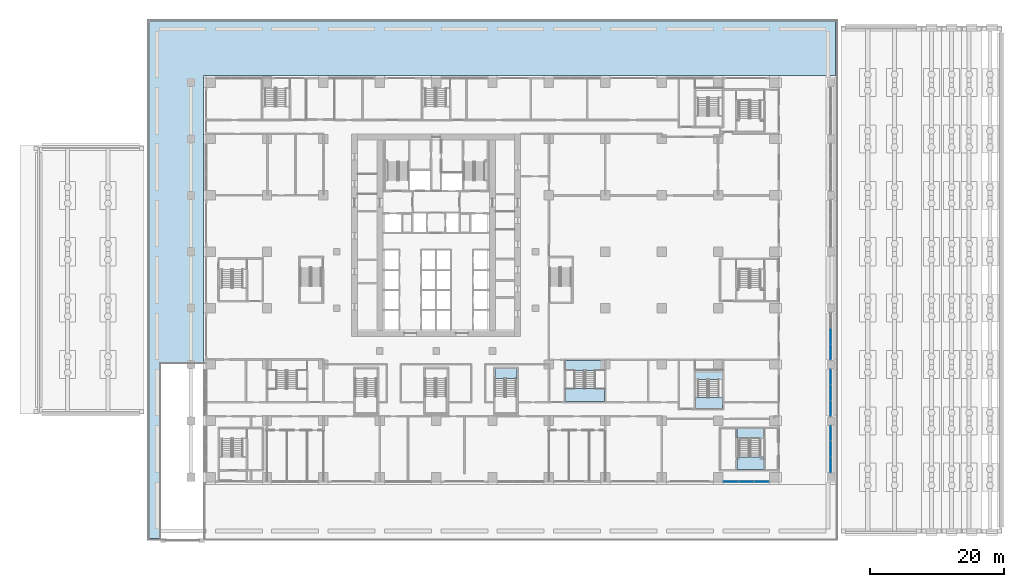
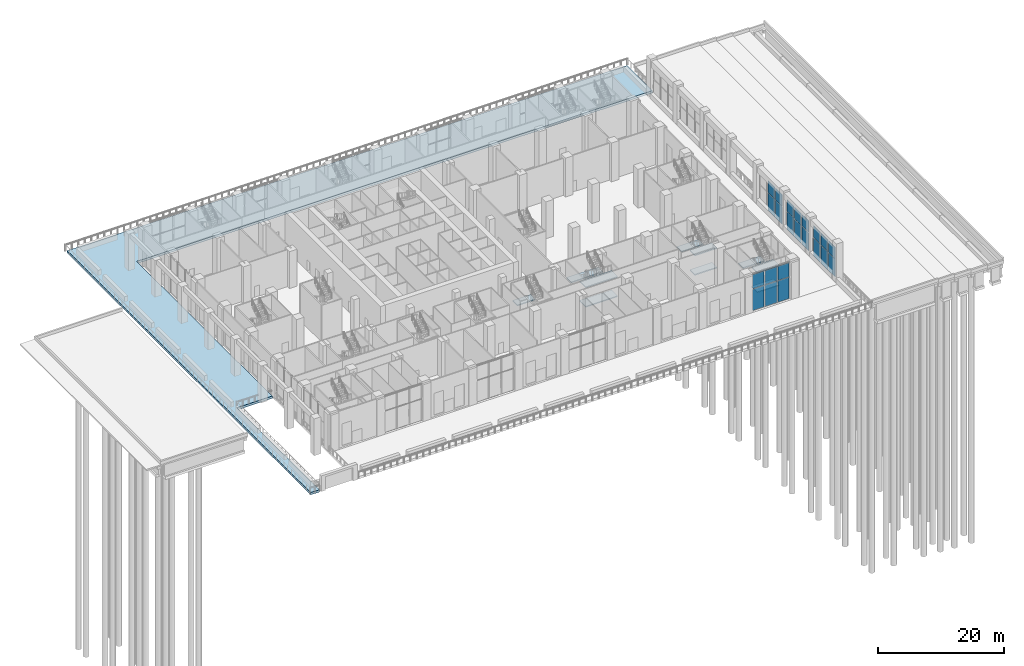
# One storey, part 16 of 53: 22 plates, 11 slabs, 8 elements without a shape of their own.
"""IFC4 building model written with IfcOpenShell, lengths in metres."""

from ifc_helpers import new_model, si_unit, direction, frame, origin, origin_2d, place, context, subcontext, project, spatial, polyline, rectangle, outline, extrude, material, layer, layer_set, type_object, element, aggregate, save


model = new_model("IFC4")

# Units and contexts
model_context = context("Model", 3, precision=1e-05, world=origin(), true_north=direction((0.0, 1.0)))
body_context = subcontext(model_context, "Body", "Model", "MODEL_VIEW")
ifc_project = project(units=[si_unit("LENGTHUNIT", "METRE"), si_unit("AREAUNIT", "SQUARE_METRE"), si_unit("VOLUMEUNIT", "CUBIC_METRE"), si_unit("PLANEANGLEUNIT", "RADIAN"), si_unit("MASSUNIT", "GRAM", prefix="KILO")], contexts=[model_context])

# Site, building, storey
site_placement = place(None, origin())
site = spatial("IfcSite", under=ifc_project, at=site_placement, CompositionType="ELEMENT")
building_placement = place(site_placement, origin())
building = spatial("IfcBuilding", under=site, at=building_placement, Name="Vermilion Ogive Tower", CompositionType="ELEMENT")
storey_placement = place(building_placement, origin())
storey = spatial("IfcBuildingStorey", under=building, at=storey_placement, Name="L00", CompositionType="ELEMENT", Elevation=0.0)

# Curtain wall, plates
ifc_material_1 = material(Name="Clear double glazing in aluminium frame", Category="aluminium")
curtain_wall_type_1 = type_object("IfcCurtainWallType", Name="Curtain wall CW1", PredefinedType="NOTDEFINED", material=ifc_material_1)
curtain_wall_1_placement = place(storey_placement, origin())
curtain_wall_1 = element("IfcCurtainWall", 1, at=curtain_wall_1_placement, inside=storey, type_object=curtain_wall_type_1, Name="CW1 shopfront glazing S10", PredefinedType="NOTDEFINED")
ifc_material_2 = material(Name="Clear double glazing in aluminium frame", Category="aluminium")
ifc_layer_1 = layer(ifc_material_2, 0.031982421875)
ifc_layer_set_1 = layer_set([ifc_layer_1], Name="CW1 glazing panel 32")
plate_type_1 = type_object("IfcPlateType", Name="CW1 glazing panel 32", PredefinedType="CURTAIN_PANEL", material=ifc_layer_set_1)
plate_1_placement = place(storey_placement, frame((43.91162109375, -30.06005859375, 0.06005859375), z_axis=(0.0, 0.0, 1.0), x_axis=(1.0, 0.0, 0.0)))
plate_1 = element("IfcPlate", 2, at=plate_1_placement, type_object=plate_type_1, Name="CW1-S10 panel 1.1", PredefinedType="CURTAIN_PANEL", context=body_context, shape_type="SweptSolid", body=[
    extrude(rectangle(XDim=2.063232421875, YDim=0.031982421875, at=origin_2d()), origin(), (0.0, 0.0, 1.0), 4.169921875),
])
plate_2_placement = place(storey_placement, frame((43.91162109375, -30.06005859375, 4.2900390625), z_axis=(0.0, 0.0, 1.0), x_axis=(1.0, 0.0, 0.0)))
plate_2 = element("IfcPlate", 3, at=plate_2_placement, type_object=plate_type_1, Name="CW1-S10 panel 1.2", PredefinedType="CURTAIN_PANEL", context=body_context, shape_type="SweptSolid", body=[
    extrude(rectangle(XDim=2.063232421875, YDim=0.031982421875, at=origin_2d()), origin(), (0.0, 0.0, 1.0), 2.75),
])
plate_3_placement = place(storey_placement, frame((46.199951171875, -30.06005859375, 0.06005859375), z_axis=(0.0, 0.0, 1.0), x_axis=(1.0, 0.0, 0.0)))
plate_3 = element("IfcPlate", 4, at=plate_3_placement, type_object=plate_type_1, Name="CW1-S10 panel 2.1", PredefinedType="CURTAIN_PANEL", context=body_context, shape_type="SweptSolid", body=[
    extrude(rectangle(XDim=2.1533203125, YDim=0.031982421875, at=origin_2d()), origin(), (0.0, 0.0, 1.0), 4.169921875),
])
plate_4_placement = place(storey_placement, frame((46.199951171875, -30.06005859375, 4.2900390625), z_axis=(0.0, 0.0, 1.0), x_axis=(1.0, 0.0, 0.0)))
plate_4 = element("IfcPlate", 5, at=plate_4_placement, type_object=plate_type_1, Name="CW1-S10 panel 2.2", PredefinedType="CURTAIN_PANEL", context=body_context, shape_type="SweptSolid", body=[
    extrude(rectangle(XDim=2.1533203125, YDim=0.031982421875, at=origin_2d()), origin(), (0.0, 0.0, 1.0), 2.75),
])
plate_5_placement = place(storey_placement, frame((48.48828125, -30.06005859375, 0.06005859375), z_axis=(0.0, 0.0, 1.0), x_axis=(1.0, 0.0, 0.0)))
plate_5 = element("IfcPlate", 6, at=plate_5_placement, type_object=plate_type_1, Name="CW1-S10 panel 3.1", PredefinedType="CURTAIN_PANEL", context=body_context, shape_type="SweptSolid", body=[
    extrude(rectangle(XDim=2.063232421875, YDim=0.031982421875, at=origin_2d()), origin(), (0.0, 0.0, 1.0), 4.169921875),
])
plate_6_placement = place(storey_placement, frame((48.48828125, -30.06005859375, 4.2900390625), z_axis=(0.0, 0.0, 1.0), x_axis=(1.0, 0.0, 0.0)))
plate_6 = element("IfcPlate", 7, at=plate_6_placement, type_object=plate_type_1, Name="CW1-S10 panel 3.2", PredefinedType="CURTAIN_PANEL", context=body_context, shape_type="SweptSolid", body=[
    extrude(rectangle(XDim=2.063232421875, YDim=0.031982421875, at=origin_2d()), origin(), (0.0, 0.0, 1.0), 2.75),
])
aggregate(curtain_wall_1, [plate_1, plate_2, plate_3, plate_4, plate_5, plate_6])

ifc_material_3 = material(Name="Clear double glazing in aluminium frame", Category="aluminium")
curtain_wall_type_2 = type_object("IfcCurtainWallType", Name="Curtain wall CW2", PredefinedType="NOTDEFINED", material=ifc_material_3)
curtain_wall_2_placement = place(storey_placement, origin())
curtain_wall_2 = element("IfcCurtainWall", 8, at=curtain_wall_2_placement, inside=storey, type_object=curtain_wall_type_2, Name="CW2 arcade glazing L00 1", PredefinedType="NOTDEFINED")
ifc_material_4 = material(Name="Clear double glazing in aluminium frame", Category="aluminium")
ifc_layer_2 = layer(ifc_material_4, 0.031982421875)
ifc_layer_set_2 = layer_set([ifc_layer_2], Name="CW2 glazing panel 32")
plate_type_2 = type_object("IfcPlateType", Name="CW2 glazing panel 32", PredefinedType="CURTAIN_PANEL", material=ifc_layer_set_2)
plate_7_placement = place(storey_placement, frame((58.800048828125, -27.554931640625, 0.06005859375), z_axis=(0.0, 0.0, 1.0), x_axis=(0.0, 1.0, 0.0)))
plate_7 = element("IfcPlate", 9, at=plate_7_placement, type_object=plate_type_2, Name="CW2-001 panel 1.1", PredefinedType="CURTAIN_PANEL", context=body_context, shape_type="SweptSolid", body=[
    extrude(rectangle(XDim=2.1298828125, YDim=0.031982421875, at=origin_2d()), origin(), (0.0, 0.0, 1.0), 3.449951171875),
])
plate_8_placement = place(storey_placement, frame((58.800048828125, -27.554931640625, 3.570068359375), z_axis=(0.0, 0.0, 1.0), x_axis=(0.0, 1.0, 0.0)))
plate_8 = element("IfcPlate", 10, at=plate_8_placement, type_object=plate_type_2, Name="CW2-001 panel 1.2", PredefinedType="CURTAIN_PANEL", context=body_context, shape_type="SweptSolid", body=[
    extrude(rectangle(XDim=2.1298828125, YDim=0.031982421875, at=origin_2d()), origin(), (0.0, 0.0, 1.0), 2.27001953125),
])
plate_9_placement = place(storey_placement, frame((58.800048828125, -25.199951171875, 0.06005859375), z_axis=(0.0, 0.0, 1.0), x_axis=(0.0, 1.0, 0.0)))
plate_9 = element("IfcPlate", 11, at=plate_9_placement, type_object=plate_type_2, Name="CW2-001 panel 2.1", PredefinedType="CURTAIN_PANEL", context=body_context, shape_type="SweptSolid", body=[
    extrude(rectangle(XDim=2.219970703125, YDim=0.031982421875, at=origin_2d()), origin(), (0.0, 0.0, 1.0), 3.449951171875),
])
plate_10_placement = place(storey_placement, frame((58.800048828125, -25.199951171875, 3.570068359375), z_axis=(0.0, 0.0, 1.0), x_axis=(0.0, 1.0, 0.0)))
plate_10 = element("IfcPlate", 12, at=plate_10_placement, type_object=plate_type_2, Name="CW2-001 panel 2.2", PredefinedType="CURTAIN_PANEL", context=body_context, shape_type="SweptSolid", body=[
    extrude(rectangle(XDim=2.219970703125, YDim=0.031982421875, at=origin_2d()), origin(), (0.0, 0.0, 1.0), 2.27001953125),
])
plate_11_placement = place(storey_placement, frame((58.800048828125, -22.844970703125, 0.06005859375), z_axis=(0.0, 0.0, 1.0), x_axis=(0.0, 1.0, 0.0)))
plate_11 = element("IfcPlate", 13, at=plate_11_placement, type_object=plate_type_2, Name="CW2-001 panel 3.1", PredefinedType="CURTAIN_PANEL", context=body_context, shape_type="SweptSolid", body=[
    extrude(rectangle(XDim=2.1298828125, YDim=0.031982421875, at=origin_2d()), origin(), (0.0, 0.0, 1.0), 3.449951171875),
])
plate_12_placement = place(storey_placement, frame((58.800048828125, -22.844970703125, 3.570068359375), z_axis=(0.0, 0.0, 1.0), x_axis=(0.0, 1.0, 0.0)))
plate_12 = element("IfcPlate", 14, at=plate_12_placement, type_object=plate_type_2, Name="CW2-001 panel 3.2", PredefinedType="CURTAIN_PANEL", context=body_context, shape_type="SweptSolid", body=[
    extrude(rectangle(XDim=2.1298828125, YDim=0.031982421875, at=origin_2d()), origin(), (0.0, 0.0, 1.0), 2.27001953125),
])
aggregate(curtain_wall_2, [plate_7, plate_8, plate_9, plate_10, plate_11, plate_12])

curtain_wall_3_placement = place(storey_placement, origin())
curtain_wall_3 = element("IfcCurtainWall", 15, at=curtain_wall_3_placement, inside=storey, type_object=curtain_wall_type_2, Name="CW2 arcade glazing L00 2", PredefinedType="NOTDEFINED")
plate_13_placement = place(storey_placement, frame((58.800048828125, -19.155029296875, 0.06005859375), z_axis=(0.0, 0.0, 1.0), x_axis=(0.0, 1.0, 0.0)))
plate_13 = element("IfcPlate", 16, at=plate_13_placement, type_object=plate_type_2, Name="CW2-002 panel 1.1", PredefinedType="CURTAIN_PANEL", context=body_context, shape_type="SweptSolid", body=[
    extrude(rectangle(XDim=2.1298828125, YDim=0.031982421875, at=origin_2d()), origin(), (0.0, 0.0, 1.0), 3.449951171875),
])
plate_14_placement = place(storey_placement, frame((58.800048828125, -19.155029296875, 3.570068359375), z_axis=(0.0, 0.0, 1.0), x_axis=(0.0, 1.0, 0.0)))
plate_14 = element("IfcPlate", 17, at=plate_14_placement, type_object=plate_type_2, Name="CW2-002 panel 1.2", PredefinedType="CURTAIN_PANEL", context=body_context, shape_type="SweptSolid", body=[
    extrude(rectangle(XDim=2.1298828125, YDim=0.031982421875, at=origin_2d()), origin(), (0.0, 0.0, 1.0), 2.27001953125),
])
plate_15_placement = place(storey_placement, frame((58.800048828125, -16.800048828125, 0.06005859375), z_axis=(0.0, 0.0, 1.0), x_axis=(0.0, 1.0, 0.0)))
plate_15 = element("IfcPlate", 18, at=plate_15_placement, type_object=plate_type_2, Name="CW2-002 panel 2.1", PredefinedType="CURTAIN_PANEL", context=body_context, shape_type="SweptSolid", body=[
    extrude(rectangle(XDim=2.219970703125, YDim=0.031982421875, at=origin_2d()), origin(), (0.0, 0.0, 1.0), 3.449951171875),
])
plate_16_placement = place(storey_placement, frame((58.800048828125, -16.800048828125, 3.570068359375), z_axis=(0.0, 0.0, 1.0), x_axis=(0.0, 1.0, 0.0)))
plate_16 = element("IfcPlate", 19, at=plate_16_placement, type_object=plate_type_2, Name="CW2-002 panel 2.2", PredefinedType="CURTAIN_PANEL", context=body_context, shape_type="SweptSolid", body=[
    extrude(rectangle(XDim=2.219970703125, YDim=0.031982421875, at=origin_2d()), origin(), (0.0, 0.0, 1.0), 2.27001953125),
])
plate_17_placement = place(storey_placement, frame((58.800048828125, -14.445068359375, 0.06005859375), z_axis=(0.0, 0.0, 1.0), x_axis=(0.0, 1.0, 0.0)))
plate_17 = element("IfcPlate", 20, at=plate_17_placement, type_object=plate_type_2, Name="CW2-002 panel 3.1", PredefinedType="CURTAIN_PANEL", context=body_context, shape_type="SweptSolid", body=[
    extrude(rectangle(XDim=2.1298828125, YDim=0.031982421875, at=origin_2d()), origin(), (0.0, 0.0, 1.0), 3.449951171875),
])
plate_18_placement = place(storey_placement, frame((58.800048828125, -14.445068359375, 3.570068359375), z_axis=(0.0, 0.0, 1.0), x_axis=(0.0, 1.0, 0.0)))
plate_18 = element("IfcPlate", 21, at=plate_18_placement, type_object=plate_type_2, Name="CW2-002 panel 3.2", PredefinedType="CURTAIN_PANEL", context=body_context, shape_type="SweptSolid", body=[
    extrude(rectangle(XDim=2.1298828125, YDim=0.031982421875, at=origin_2d()), origin(), (0.0, 0.0, 1.0), 2.27001953125),
])
aggregate(curtain_wall_3, [plate_13, plate_14, plate_15, plate_16, plate_17, plate_18])

curtain_wall_4_placement = place(storey_placement, origin())
curtain_wall_4 = element("IfcCurtainWall", 22, at=curtain_wall_4_placement, inside=storey, type_object=curtain_wall_type_2, Name="CW2 arcade glazing L00 3", PredefinedType="NOTDEFINED")
plate_19_placement = place(storey_placement, frame((58.800048828125, -10.7548828125, 0.06005859375), z_axis=(0.0, 0.0, 1.0), x_axis=(0.0, 1.0, 0.0)))
plate_19 = element("IfcPlate", 23, at=plate_19_placement, type_object=plate_type_2, Name="CW2-003 panel 1.1", PredefinedType="CURTAIN_PANEL", context=body_context, shape_type="SweptSolid", body=[
    extrude(rectangle(XDim=2.1298828125, YDim=0.031982421875, at=origin_2d()), origin(), (0.0, 0.0, 1.0), 3.449951171875),
])
plate_20_placement = place(storey_placement, frame((58.800048828125, -10.7548828125, 3.570068359375), z_axis=(0.0, 0.0, 1.0), x_axis=(0.0, 1.0, 0.0)))
plate_20 = element("IfcPlate", 24, at=plate_20_placement, type_object=plate_type_2, Name="CW2-003 panel 1.2", PredefinedType="CURTAIN_PANEL", context=body_context, shape_type="SweptSolid", body=[
    extrude(rectangle(XDim=2.1298828125, YDim=0.031982421875, at=origin_2d()), origin(), (0.0, 0.0, 1.0), 2.27001953125),
])
plate_21_placement = place(storey_placement, frame((58.800048828125, -8.39990234375, 0.06005859375), z_axis=(0.0, 0.0, 1.0), x_axis=(0.0, 1.0, 0.0)))
plate_21 = element("IfcPlate", 25, at=plate_21_placement, type_object=plate_type_2, Name="CW2-003 panel 2.1", PredefinedType="CURTAIN_PANEL", context=body_context, shape_type="SweptSolid", body=[
    extrude(rectangle(XDim=2.219970703125, YDim=0.031982421875, at=origin_2d()), origin(), (0.0, 0.0, 1.0), 3.449951171875),
])
plate_22_placement = place(storey_placement, frame((58.800048828125, -8.39990234375, 3.570068359375), z_axis=(0.0, 0.0, 1.0), x_axis=(0.0, 1.0, 0.0)))
plate_22 = element("IfcPlate", 26, at=plate_22_placement, type_object=plate_type_2, Name="CW2-003 panel 2.2", PredefinedType="CURTAIN_PANEL", context=body_context, shape_type="SweptSolid", body=[
    extrude(rectangle(XDim=2.219970703125, YDim=0.031982421875, at=origin_2d()), origin(), (0.0, 0.0, 1.0), 2.27001953125),
])
aggregate(curtain_wall_4, [plate_19, plate_20, plate_21, plate_22])

# Slab
ifc_material_5 = material(Name="Concrete B45", Category="concrete")
ifc_layer_3 = layer(ifc_material_5, 0.449951171875)
ifc_layer_set_3 = layer_set([ifc_layer_3], Name="Podium roof slab 450")
slab_type_1 = type_object("IfcSlabType", Name="Podium roof slab 450", PredefinedType="ROOF", material=ifc_layer_set_3)
slab_1_placement = place(storey_placement, frame((0.0, 0.0, -0.449951171875)))
element("IfcSlab", 27, at=slab_1_placement, inside=storey, type_object=slab_type_1, Name="L00 deck slab 2", PredefinedType="ROOF", context=body_context, shape_type="SweptSolid", body=[
    extrude(outline(polyline([(-42.699951171875, -38.5), (-41.10009765625, -38.5), (-41.10009765625, -12.41064453125), (-34.64990234375, -12.41064453125), (-34.64990234375, 30.449951171875), (51.43994140625, 30.449951171875), (51.449951171875, 30.449951171875), (59.5, 30.449951171875), (59.5, 38.5), (-42.699951171875, 38.5), (-42.699951171875, -38.5)])), origin(), (0.0, 0.0, 1.0), 0.449951171875),
])

# Stair, slab
ifc_material_6 = material(Name="Concrete B40", Category="concrete")
stair_type = type_object("IfcStairType", Name="Exit stair 1500", PredefinedType="HALF_TURN_STAIR", material=ifc_material_6)
stair_1_placement = place(storey_placement, origin())
stair_1 = element("IfcStair", 28, at=stair_1_placement, inside=storey, type_object=stair_type, Name="L00 Exit Stair ST5", PredefinedType="HALF_TURN_STAIR")
ifc_material_7 = material(Name="Concrete B40", Category="concrete")
ifc_layer_4 = layer(ifc_material_7, 0.199951171875)
ifc_layer_set_4 = layer_set([ifc_layer_4], Name="Stair landing 200")
slab_type_2 = type_object("IfcSlabType", Name="Stair landing 200", PredefinedType="LANDING", material=ifc_layer_set_4)
slab_2_placement = place(storey_placement, frame((0.0, 0.0, 3.550048828125)))
slab_2 = element("IfcSlab", 29, at=slab_2_placement, type_object=slab_type_2, Name="ST5 landing 2", PredefinedType="LANDING", context=body_context, shape_type="SweptSolid", body=[
    extrude(outline(polyline([(8.75, -13.199951171875), (8.75, -14.701904296875), (10.25, -14.701904296875), (10.25, -14.699951171875), (10.39990234375, -14.699951171875), (10.39990234375, -14.701904296875), (11.89990234375, -14.701904296875), (11.89990234375, -14.699951171875), (12.050048828125, -14.699951171875), (12.050048828125, -13.199951171875), (8.75, -13.199951171875)])), origin(), (0.0, 0.0, 1.0), 0.199951171875),
])
aggregate(stair_1, [slab_2])

# Stair, slabs
stair_2_placement = place(storey_placement, origin())
stair_2 = element("IfcStair", 30, at=stair_2_placement, inside=storey, type_object=stair_type, Name="L00 Exit Stair PS3", PredefinedType="HALF_TURN_STAIR")
slab_3_placement = place(storey_placement, frame((0.0, 0.0, 1.675048828125)))
slab_3 = element("IfcSlab", 31, at=slab_3_placement, type_object=slab_type_2, Name="PS3 landing 1", PredefinedType="LANDING", context=body_context, shape_type="SweptSolid", body=[
    extrude(outline(polyline([(25.099853515625, -16.199951171875), (23.699951171875, -16.199951171875), (23.699951171875, -16.197998046875), (22.199951171875, -16.197998046875), (22.199951171875, -16.199951171875), (22.050048828125, -16.199951171875), (22.050048828125, -16.197998046875), (20.550048828125, -16.197998046875), (20.550048828125, -16.199951171875), (19.300048828125, -16.199951171875), (19.300048828125, -18.125), (25.099853515625, -18.125), (25.099853515625, -16.199951171875)])), origin(), (0.0, 0.0, 1.0), 0.199951171875),
])
slab_4_placement = place(storey_placement, frame((0.0, 0.0, 3.550048828125)))
slab_4 = element("IfcSlab", 32, at=slab_4_placement, type_object=slab_type_2, Name="PS3 landing 2", PredefinedType="LANDING", context=body_context, shape_type="SweptSolid", body=[
    extrude(outline(polyline([(19.300048828125, -13.5), (20.550048828125, -13.5), (20.550048828125, -13.501953125), (22.050048828125, -13.501953125), (22.050048828125, -13.5), (22.199951171875, -13.5), (22.199951171875, -13.501953125), (23.699951171875, -13.501953125), (23.699951171875, -13.5), (25.099853515625, -13.5), (25.099853515625, -12.0), (19.300048828125, -12.0), (19.300048828125, -13.5)])), origin(), (0.0, 0.0, 1.0), 0.199951171875),
])
slab_5_placement = place(storey_placement, frame((0.0, 0.0, 5.425048828125)))
slab_5 = element("IfcSlab", 33, at=slab_5_placement, type_object=slab_type_2, Name="PS3 landing 3", PredefinedType="LANDING", context=body_context, shape_type="SweptSolid", body=[
    extrude(outline(polyline([(25.099853515625, -16.199951171875), (23.699951171875, -16.199951171875), (23.699951171875, -16.197998046875), (22.199951171875, -16.197998046875), (22.199951171875, -16.199951171875), (22.050048828125, -16.199951171875), (22.050048828125, -16.197998046875), (20.550048828125, -16.197998046875), (20.550048828125, -16.199951171875), (19.300048828125, -16.199951171875), (19.300048828125, -18.125), (25.099853515625, -18.125), (25.099853515625, -16.199951171875)])), origin(), (0.0, 0.0, 1.0), 0.199951171875),
])
aggregate(stair_2, [slab_3, slab_4, slab_5])

stair_3_placement = place(storey_placement, origin())
stair_3 = element("IfcStair", 34, at=stair_3_placement, inside=storey, type_object=stair_type, Name="L00 Exit Stair PS6", PredefinedType="HALF_TURN_STAIR")
slab_6_placement = place(storey_placement, frame((0.0, 0.0, 1.675048828125)))
slab_6 = element("IfcSlab", 35, at=slab_6_placement, type_object=slab_type_2, Name="PS6 landing 1", PredefinedType="LANDING", context=body_context, shape_type="SweptSolid", body=[
    extrude(outline(polyline([(42.64990234375, -17.550048828125), (42.14990234375, -17.550048828125), (42.14990234375, -17.548095703125), (40.64990234375, -17.548095703125), (40.64990234375, -17.550048828125), (40.5, -17.550048828125), (40.5, -17.548095703125), (39.0, -17.548095703125), (39.0, -17.550048828125), (38.650146484375, -17.550048828125), (38.650146484375, -19.125), (42.64990234375, -19.125), (42.64990234375, -17.550048828125)])), origin(), (0.0, 0.0, 1.0), 0.199951171875),
])
slab_7_placement = place(storey_placement, frame((0.0, 0.0, 3.550048828125)))
slab_7 = element("IfcSlab", 36, at=slab_7_placement, type_object=slab_type_2, Name="PS6 landing 2", PredefinedType="LANDING", context=body_context, shape_type="SweptSolid", body=[
    extrude(outline(polyline([(38.650146484375, -14.85009765625), (39.0, -14.85009765625), (39.0, -14.85205078125), (40.5, -14.85205078125), (40.5, -14.85009765625), (40.64990234375, -14.85009765625), (40.64990234375, -14.85205078125), (42.14990234375, -14.85205078125), (42.14990234375, -14.85009765625), (42.64990234375, -14.85009765625), (42.64990234375, -13.35009765625), (38.650146484375, -13.35009765625), (38.650146484375, -14.85009765625)])), origin(), (0.0, 0.0, 1.0), 0.199951171875),
])
slab_8_placement = place(storey_placement, frame((0.0, 0.0, 5.425048828125)))
slab_8 = element("IfcSlab", 37, at=slab_8_placement, type_object=slab_type_2, Name="PS6 landing 3", PredefinedType="LANDING", context=body_context, shape_type="SweptSolid", body=[
    extrude(outline(polyline([(42.64990234375, -17.550048828125), (42.14990234375, -17.550048828125), (42.14990234375, -17.548095703125), (40.64990234375, -17.548095703125), (40.64990234375, -17.550048828125), (40.5, -17.550048828125), (40.5, -17.548095703125), (39.0, -17.548095703125), (39.0, -17.550048828125), (38.650146484375, -17.550048828125), (38.650146484375, -19.125), (42.64990234375, -19.125), (42.64990234375, -17.550048828125)])), origin(), (0.0, 0.0, 1.0), 0.199951171875),
])
aggregate(stair_3, [slab_6, slab_7, slab_8])

stair_4_placement = place(storey_placement, origin())
stair_4 = element("IfcStair", 38, at=stair_4_placement, inside=storey, type_object=stair_type, Name="L00 Exit Stair PES", PredefinedType="HALF_TURN_STAIR")
slab_9_placement = place(storey_placement, frame((0.0, 0.0, 1.675048828125)))
slab_9 = element("IfcSlab", 39, at=slab_9_placement, type_object=slab_type_2, Name="PES landing 1", PredefinedType="LANDING", context=body_context, shape_type="SweptSolid", body=[
    extrude(outline(polyline([(48.8125, -26.35009765625), (48.300048828125, -26.35009765625), (48.300048828125, -26.347900390625), (46.800048828125, -26.347900390625), (46.800048828125, -26.35009765625), (46.64990234375, -26.35009765625), (46.64990234375, -26.347900390625), (45.14990234375, -26.347900390625), (45.14990234375, -26.35009765625), (44.800048828125, -26.35009765625), (44.800048828125, -28.25), (48.8125, -28.25), (48.8125, -26.35009765625)])), origin(), (0.0, 0.0, 1.0), 0.199951171875),
])
slab_10_placement = place(storey_placement, frame((0.0, 0.0, 3.550048828125)))
slab_10 = element("IfcSlab", 40, at=slab_10_placement, type_object=slab_type_2, Name="PES landing 2", PredefinedType="LANDING", context=body_context, shape_type="SweptSolid", body=[
    extrude(outline(polyline([(44.800048828125, -23.64990234375), (45.14990234375, -23.64990234375), (45.14990234375, -23.652099609375), (46.64990234375, -23.652099609375), (46.64990234375, -23.64990234375), (46.800048828125, -23.64990234375), (46.800048828125, -23.652099609375), (48.300048828125, -23.652099609375), (48.300048828125, -23.64990234375), (48.8125, -23.64990234375), (48.8125, -22.150146484375), (44.800048828125, -22.150146484375), (44.800048828125, -23.64990234375)])), origin(), (0.0, 0.0, 1.0), 0.199951171875),
])
slab_11_placement = place(storey_placement, frame((0.0, 0.0, 5.425048828125)))
slab_11 = element("IfcSlab", 41, at=slab_11_placement, type_object=slab_type_2, Name="PES landing 3", PredefinedType="LANDING", context=body_context, shape_type="SweptSolid", body=[
    extrude(outline(polyline([(48.8125, -26.35009765625), (48.300048828125, -26.35009765625), (48.300048828125, -26.347900390625), (46.800048828125, -26.347900390625), (46.800048828125, -26.35009765625), (46.64990234375, -26.35009765625), (46.64990234375, -26.347900390625), (45.14990234375, -26.347900390625), (45.14990234375, -26.35009765625), (44.800048828125, -26.35009765625), (44.800048828125, -28.25), (48.8125, -28.25), (48.8125, -26.35009765625)])), origin(), (0.0, 0.0, 1.0), 0.199951171875),
])
aggregate(stair_4, [slab_9, slab_10, slab_11])

save(model, "model.ifc")
